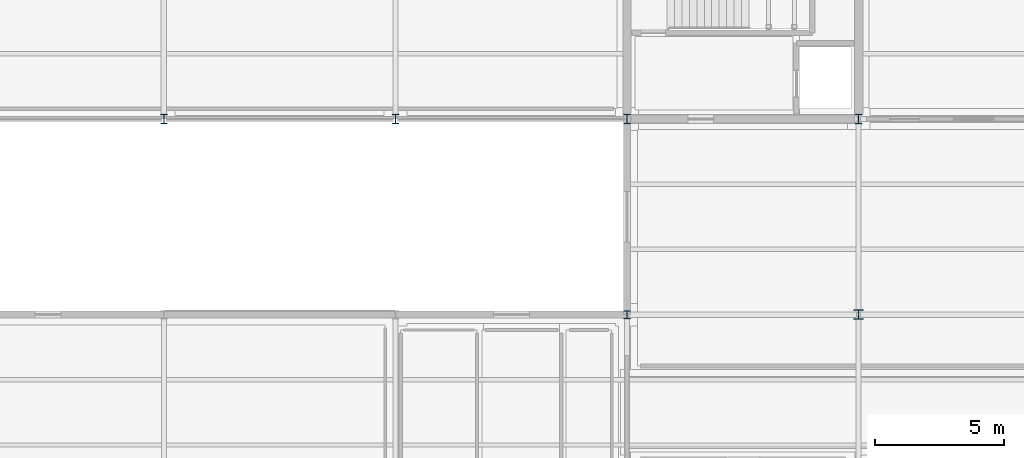
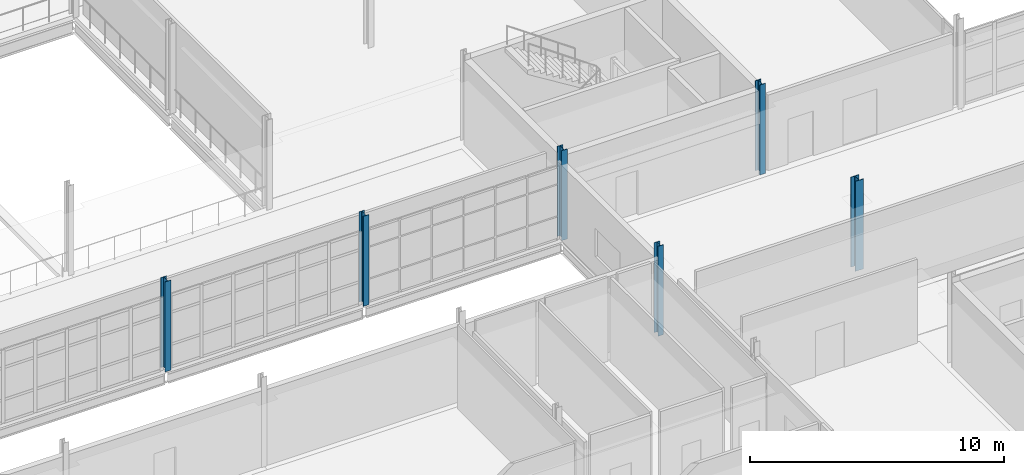
# One storey, part 4 of 174: 6 columns.
"""IFC4 building model written with IfcOpenShell, lengths in metres."""

from ifc_helpers import new_model, si_unit, direction, frame, origin, origin_2d, place, context, subcontext, project, spatial, i_section, extrude, material, material_profile, profile_set, type_object, element, save


model = new_model("IFC4")

# Units and contexts
model_context = context("Model", 3, precision=1e-05, world=origin(), true_north=direction((0.0, 1.0)))
body_context = subcontext(model_context, "Body", "Model", "MODEL_VIEW")
ifc_project = project(units=[si_unit("LENGTHUNIT", "METRE"), si_unit("AREAUNIT", "SQUARE_METRE"), si_unit("VOLUMEUNIT", "CUBIC_METRE"), si_unit("PLANEANGLEUNIT", "RADIAN"), si_unit("MASSUNIT", "GRAM", prefix="KILO")], contexts=[model_context])

# Site, building, storey
site_placement = place(None, origin())
site = spatial("IfcSite", under=ifc_project, at=site_placement, CompositionType="ELEMENT")
building_placement = place(site_placement, origin())
building = spatial("IfcBuilding", under=site, at=building_placement, Name="Caisbarro Railhouse Central Library", CompositionType="ELEMENT")
storey_placement = place(building_placement, frame((0.0, 0.0, 5.0400390625)))
storey = spatial("IfcBuildingStorey", under=building, at=storey_placement, Name="L01", CompositionType="ELEMENT", Elevation=5.0400390625)

# Columns
ifc_material = material(Name="Steel ASTM A572 Grade 50", Category="steel")
ifc_material_profile_1 = material_profile(ifc_material, i_section(OverallWidth=0.37109375, OverallDepth=0.364013671875, WebThickness=0.01318359375, FlangeThickness=0.021728515625, FilletRadius=0.01806640625, at=origin_2d()), Name="W360X162.0")
ifc_profile_set_1 = profile_set([ifc_material_profile_1], Name="Steel ASTM A572 Grade 50")
column_type_1 = type_object("IfcColumnType", Name="COL-C02", PredefinedType="COLUMN", material=ifc_profile_set_1)
column_1_placement = place(storey_placement, frame((63.0, 22.800048828125, 0.0), z_axis=(0.0, 0.0, 1.0), x_axis=(1.0, 0.0, 0.0)))
element("IfcColumn", 1, at=column_1_placement, inside=storey, type_object=column_type_1, Name="C02 column L01 (63.0,22.8)", PredefinedType="COLUMN", context=body_context, shape_type="SweptSolid", body=[
    extrude(i_section(OverallWidth=0.37109375, OverallDepth=0.364013671875, WebThickness=0.01318359375, FlangeThickness=0.021728515625, FilletRadius=0.01806640625, at=origin_2d()), origin(), (0.0, 0.0, 1.0), 4.320068359375),
])
ifc_material_profile_2 = material_profile(ifc_material, i_section(OverallWidth=0.257080078125, OverallDepth=0.363037109375, WebThickness=0.012939453125, FlangeThickness=0.021728515625, FilletRadius=0.014892578125, at=origin_2d()), Name="W360X122.0")
ifc_profile_set_2 = profile_set([ifc_material_profile_2], Name="Steel ASTM A572 Grade 50")
column_type_2 = type_object("IfcColumnType", Name="COL-C04", PredefinedType="COLUMN", material=ifc_profile_set_2)
for number, where, z_axis, x_axis, name in (
    (2, (36.0, 30.39990234375, 0.0), (0.0, 0.0, 1.0), (1.0, 0.0, 0.0), "C04 column L01 (36.0,30.4)"),
    (3, (45.0, 30.39990234375, 0.0), (0.0, 0.0, 1.0), (1.0, 0.0, 0.0), "C04 column L01 (45.0,30.4)"),
    (4, (54.0, 30.39990234375, 0.0), (0.0, 0.0, 1.0), (1.0, 0.0, 0.0), "C04 column L01 (54.0,30.4)"),
    (5, (63.0, 30.39990234375, 0.0), (0.0, 0.0, 1.0), (1.0, 0.0, 0.0), "C04 column L01 (63.0,30.4)"),
):
    element("IfcColumn", number, at=place(storey_placement, frame(where, z_axis=z_axis, x_axis=x_axis)), inside=storey, type_object=column_type_2, Name=name, PredefinedType="COLUMN", context=body_context, shape_type="SweptSolid", body=[
        extrude(i_section(OverallWidth=0.257080078125, OverallDepth=0.363037109375, WebThickness=0.012939453125, FlangeThickness=0.021728515625, FilletRadius=0.014892578125, at=origin_2d()), origin(), (0.0, 0.0, 1.0), 4.320068359375),
    ])
ifc_material_profile_3 = material_profile(ifc_material, i_section(OverallWidth=0.25390625, OverallDepth=0.305908203125, WebThickness=0.0087890625, FlangeThickness=0.0146484375, FilletRadius=0.014892578125, at=origin_2d()), Name="W310X79.0")
ifc_profile_set_3 = profile_set([ifc_material_profile_3], Name="Steel ASTM A572 Grade 50")
column_type_3 = type_object("IfcColumnType", Name="COL-C07", PredefinedType="COLUMN", material=ifc_profile_set_3)
column_2_placement = place(storey_placement, frame((54.0, 22.800048828125, 0.0), z_axis=(0.0, 0.0, 1.0), x_axis=(1.0, 0.0, 0.0)))
element("IfcColumn", 6, at=column_2_placement, inside=storey, type_object=column_type_3, Name="C07 column L01 (54.0,22.8)", PredefinedType="COLUMN", context=body_context, shape_type="SweptSolid", body=[
    extrude(i_section(OverallWidth=0.25390625, OverallDepth=0.305908203125, WebThickness=0.0087890625, FlangeThickness=0.0146484375, FilletRadius=0.014892578125, at=origin_2d()), origin(), (0.0, 0.0, 1.0), 4.320068359375),
])

save(model, "model.ifc")
